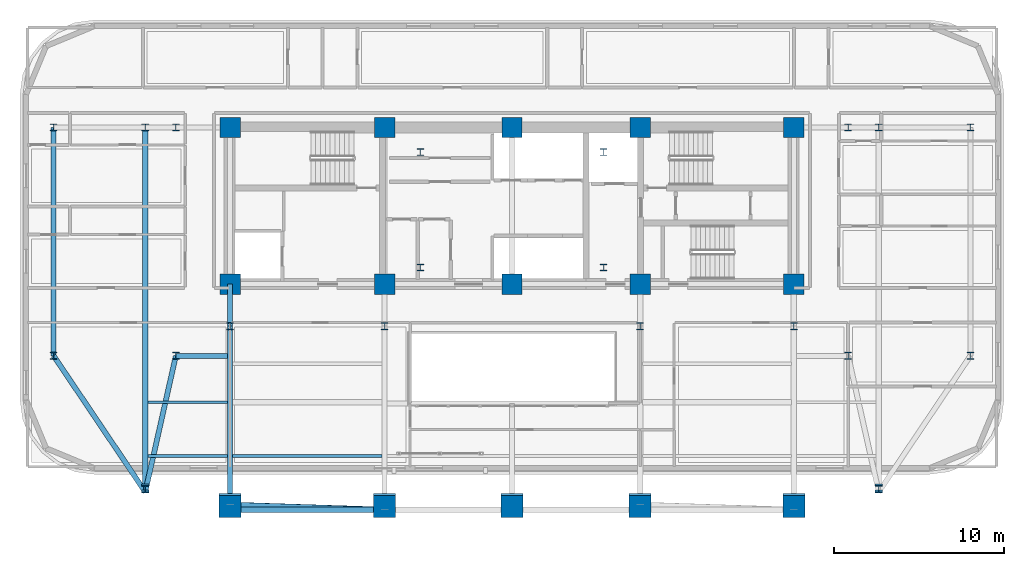
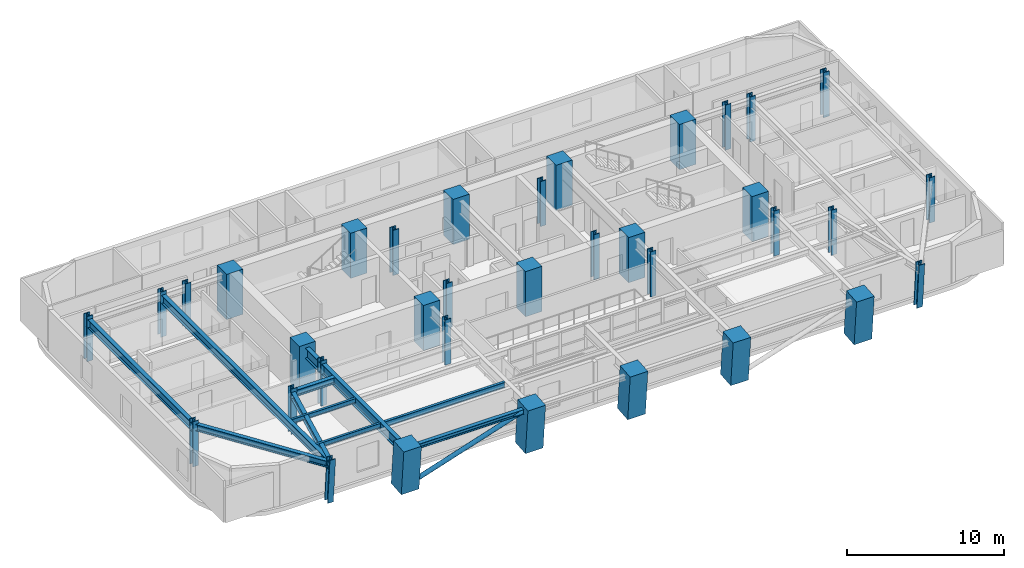
# One storey, part 1 of 15: 35 columns, 11 beams, 1 member.
"""IFC4 building model written with IfcOpenShell, lengths in metres."""

from ifc_helpers import new_model, si_unit, direction, frame, origin, origin_2d, place, context, subcontext, project, spatial, rectangle, hollow_circle, i_section, extrude, material, material_profile, profile_set, type_object, element, save


model = new_model("IFC4")

# Units and contexts
model_context = context("Model", 3, precision=1e-05, world=origin(), true_north=direction((0.0, 1.0)))
body_context = subcontext(model_context, "Body", "Model", "MODEL_VIEW")
ifc_project = project(units=[si_unit("LENGTHUNIT", "METRE"), si_unit("AREAUNIT", "SQUARE_METRE"), si_unit("VOLUMEUNIT", "CUBIC_METRE"), si_unit("PLANEANGLEUNIT", "RADIAN"), si_unit("MASSUNIT", "GRAM", prefix="KILO")], contexts=[model_context])

# Site, building, storey
site_placement = place(None, origin())
site = spatial("IfcSite", under=ifc_project, at=site_placement, CompositionType="ELEMENT")
building_placement = place(site_placement, origin())
building = spatial("IfcBuilding", under=site, at=building_placement, Name="Zarnavel Station Tower", CompositionType="ELEMENT")
storey_placement = place(building_placement, frame((0.0, 0.0, 125.800048828125)))
storey = spatial("IfcBuildingStorey", under=building, at=storey_placement, Name="L34", CompositionType="ELEMENT", Elevation=125.800048828125)

# Columns
ifc_material_1 = material(Name="Steel S460M", Category="steel")
ifc_material_profile_1 = material_profile(ifc_material_1, i_section(OverallWidth=0.41796875, OverallDepth=0.431884765625, WebThickness=0.034912109375, FlangeThickness=0.055908203125, FilletRadius=0.014892578125, at=origin_2d()), Name="HD400x421")
ifc_profile_set_1 = profile_set([ifc_material_profile_1], Name="Steel S460M")
column_type_1 = type_object("IfcColumnType", Name="EC_HD421", PredefinedType="COLUMN", material=ifc_profile_set_1)
for number, where, z_axis, x_axis, name in (
    (1, (1.800048828125, 23.60009765625, 0.0), (0.0, 0.0, 1.0), (1.0, 0.0, 0.0), "L34 Outer Wing South Column 1"),
    (2, (1.800048828125, 37.050048828125, 0.0), (0.0, 0.0, 1.0), (1.0, 0.0, 0.0), "L34 Outer Wing North Column 1"),
):
    element("IfcColumn", number, at=place(storey_placement, frame(where, z_axis=z_axis, x_axis=x_axis)), inside=storey, type_object=column_type_1, Name=name, PredefinedType="COLUMN", context=body_context, shape_type="SweptSolid", body=[
        extrude(i_section(OverallWidth=0.41796875, OverallDepth=0.431884765625, WebThickness=0.034912109375, FlangeThickness=0.055908203125, FilletRadius=0.014892578125, at=origin_2d()), origin(), (0.0, 0.0, 1.0), 3.5),
    ])
for number, where, z_axis, x_axis, name in (
    (3, (7.199951171875, 15.841552734375, 0.0), (0.0, -0.079891690793, 0.996803550226), (1.0, 0.0, 0.0), "L34 Raked Wing Column 2"),
    (4, (50.39990234375, 15.841552734375, 0.0), (0.0, -0.079891690793, 0.996803550226), (1.0, 0.0, 0.0), "L34 Raked Wing Column 3"),
):
    element("IfcColumn", number, at=place(storey_placement, frame(where, z_axis=z_axis, x_axis=x_axis)), inside=storey, type_object=column_type_1, Name=name, PredefinedType="COLUMN", context=body_context, shape_type="SweptSolid", body=[
        extrude(i_section(OverallWidth=0.41796875, OverallDepth=0.431884765625, WebThickness=0.034912109375, FlangeThickness=0.055908203125, FilletRadius=0.014892578125, at=origin_2d()), origin(), (0.0, 0.0, 1.0), 3.51123046875),
    ])
for number, where, z_axis, x_axis, name in (
    (5, (55.800048828125, 23.60009765625, 0.0), (0.0, 0.0, 1.0), (1.0, 0.0, 0.0), "L34 Outer Wing South Column 4"),
    (6, (55.800048828125, 37.050048828125, 0.0), (0.0, 0.0, 1.0), (1.0, 0.0, 0.0), "L34 Outer Wing North Column 4"),
):
    element("IfcColumn", number, at=place(storey_placement, frame(where, z_axis=z_axis, x_axis=x_axis)), inside=storey, type_object=column_type_1, Name=name, PredefinedType="COLUMN", context=body_context, shape_type="SweptSolid", body=[
        extrude(i_section(OverallWidth=0.41796875, OverallDepth=0.431884765625, WebThickness=0.034912109375, FlangeThickness=0.055908203125, FilletRadius=0.014892578125, at=origin_2d()), origin(), (0.0, 0.0, 1.0), 3.5),
    ])
ifc_material_2 = material(Name="Steel S460M", Category="steel")
ifc_material_profile_2 = material_profile(ifc_material_2, i_section(OverallWidth=0.41796875, OverallDepth=0.431884765625, WebThickness=0.034912109375, FlangeThickness=0.055908203125, FilletRadius=0.014892578125, at=origin_2d()), Name="HD400x421")
ifc_profile_set_2 = profile_set([ifc_material_profile_2], Name="Steel S460M")
column_type_2 = type_object("IfcColumnType", Name="IC_HD421", PredefinedType="COLUMN", material=ifc_profile_set_2)
for number, where, z_axis, x_axis, name in (
    (7, (23.39990234375, 28.800048828125, 0.0), (0.0, 0.0, 1.0), (1.0, 0.0, 0.0), "L34 Mast Spine Column 1"),
    (8, (34.199951171875, 28.800048828125, 0.0), (0.0, 0.0, 1.0), (1.0, 0.0, 0.0), "L34 Mast Spine Column 2"),
    (9, (34.199951171875, 35.60009765625, 0.0), (0.0, 0.0, 1.0), (1.0, 0.0, 0.0), "L34 Mast Spine Column 3"),
    (10, (23.39990234375, 35.60009765625, 0.0), (0.0, 0.0, 1.0), (1.0, 0.0, 0.0), "L34 Mast Spine Column 4"),
    (11, (12.199951171875, 25.35009765625, 0.0), (0.0, 0.0, 1.0), (1.0, 0.0, 0.0), "L34 Inner Spine Column 1"),
    (12, (21.300048828125, 25.35009765625, 0.0), (0.0, 0.0, 1.0), (1.0, 0.0, 0.0), "L34 Inner Spine Column 2"),
    (13, (36.35009765625, 25.35009765625, 0.0), (0.0, 0.0, 1.0), (1.0, 0.0, 0.0), "L34 Inner Spine Column 4"),
    (14, (45.39990234375, 25.35009765625, 0.0), (0.0, 0.0, 1.0), (1.0, 0.0, 0.0), "L34 Inner Spine Column 5"),
    (15, (9.0, 23.60009765625, 0.0), (0.0, 0.0, 1.0), (1.0, 0.0, 0.0), "L34 Inner Wing Spine Column 1-1"),
    (16, (9.0, 37.050048828125, 0.0), (0.0, 0.0, 1.0), (1.0, 0.0, 0.0), "L34 Inner Wing Spine Column 1-2"),
    (17, (48.60009765625, 23.60009765625, 0.0), (0.0, 0.0, 1.0), (1.0, 0.0, 0.0), "L34 Inner Wing Spine Column 2-1"),
    (18, (48.60009765625, 37.050048828125, 0.0), (0.0, 0.0, 1.0), (1.0, 0.0, 0.0), "L34 Inner Wing Spine Column 2-2"),
    (19, (7.199951171875, 37.050048828125, 0.0), (0.0, 0.0, 1.0), (1.0, 0.0, 0.0), "L34 Outer Wing North Column 2"),
    (20, (50.39990234375, 37.050048828125, 0.0), (0.0, 0.0, 1.0), (1.0, 0.0, 0.0), "L34 Outer Wing North Column 3"),
):
    element("IfcColumn", number, at=place(storey_placement, frame(where, z_axis=z_axis, x_axis=x_axis)), inside=storey, type_object=column_type_2, Name=name, PredefinedType="COLUMN", context=body_context, shape_type="SweptSolid", body=[
        extrude(i_section(OverallWidth=0.41796875, OverallDepth=0.431884765625, WebThickness=0.034912109375, FlangeThickness=0.055908203125, FilletRadius=0.014892578125, at=origin_2d()), origin(), (0.0, 0.0, 1.0), 3.5),
    ])
ifc_material_3 = material(Name="Concrete C50/60", Category="concrete")
ifc_material_profile_3 = material_profile(ifc_material_3, rectangle(XDim=1.199951171875, YDim=1.199951171875, at=origin_2d()), Name="RC1200x1200")
ifc_profile_set_3 = profile_set([ifc_material_profile_3], Name="Concrete C50/60")
column_type_3 = type_object("IfcColumnType", Name="IC_RC1200", PredefinedType="COLUMN", material=ifc_profile_set_3)
for number, where, z_axis, x_axis, name in (
    (21, (12.199951171875, 27.820068359375, 0.0), (0.0, 0.0, 1.0), (1.0, 0.0, 0.0), "L34 Core Spine Column 1-1"),
    (22, (12.199951171875, 37.050048828125, 0.0), (0.0, 0.0, 1.0), (1.0, 0.0, 0.0), "L34 Core Spine Column 1-2"),
    (23, (21.300048828125, 27.820068359375, 0.0), (0.0, 0.0, 1.0), (1.0, 0.0, 0.0), "L34 Core Spine Column 2-1"),
    (24, (21.300048828125, 37.050048828125, 0.0), (0.0, 0.0, 1.0), (1.0, 0.0, 0.0), "L34 Core Spine Column 2-2"),
    (25, (28.800048828125, 27.820068359375, 0.0), (0.0, 0.0, 1.0), (1.0, 0.0, 0.0), "L34 Core Spine Column 3-1"),
    (26, (28.800048828125, 37.050048828125, 0.0), (0.0, 0.0, 1.0), (1.0, 0.0, 0.0), "L34 Core Spine Column 3-2"),
    (27, (36.35009765625, 27.820068359375, 0.0), (0.0, 0.0, 1.0), (1.0, 0.0, 0.0), "L34 Core Spine Column 4-1"),
    (28, (36.35009765625, 37.050048828125, 0.0), (0.0, 0.0, 1.0), (1.0, 0.0, 0.0), "L34 Core Spine Column 4-2"),
    (29, (45.39990234375, 27.820068359375, 0.0), (0.0, 0.0, 1.0), (1.0, 0.0, 0.0), "L34 Core Spine Column 5-1"),
    (30, (45.39990234375, 37.050048828125, 0.0), (0.0, 0.0, 1.0), (1.0, 0.0, 0.0), "L34 Core Spine Column 5-2"),
):
    element("IfcColumn", number, at=place(storey_placement, frame(where, z_axis=z_axis, x_axis=x_axis)), inside=storey, type_object=column_type_3, Name=name, PredefinedType="COLUMN", context=body_context, shape_type="SweptSolid", body=[
        extrude(rectangle(XDim=1.199951171875, YDim=1.199951171875, at=origin_2d()), origin(), (0.0, 0.0, 1.0), 3.5),
    ])
ifc_material_4 = material(Name="Concrete C60/75", Category="concrete")
ifc_material_profile_4 = material_profile(ifc_material_4, rectangle(XDim=1.300048828125, YDim=1.300048828125, at=origin_2d()), Name="RC1300x1300")
ifc_profile_set_4 = profile_set([ifc_material_profile_4], Name="Concrete C60/75")
column_type_4 = type_object("IfcColumnType", Name="MC_RC1300", PredefinedType="COLUMN", material=ifc_profile_set_4)
for number, where, z_axis, x_axis, name in (
    (31, (12.199951171875, 14.827880859375, 0.0), (0.0, -0.090241349316, 0.995919925935), (1.0, 0.0, 0.0), "L34 Raked South Mega-Column 1"),
    (32, (21.300048828125, 14.827880859375, 0.0), (0.0, -0.090241349316, 0.995919925935), (1.0, 0.0, 0.0), "L34 Raked South Mega-Column 2"),
    (33, (28.800048828125, 14.827880859375, 0.0), (0.0, -0.090241349316, 0.995919925935), (1.0, 0.0, 0.0), "L34 Raked South Mega-Column 3"),
    (34, (36.35009765625, 14.827880859375, 0.0), (0.0, -0.090241349316, 0.995919925935), (1.0, 0.0, 0.0), "L34 Raked South Mega-Column 4"),
    (35, (45.39990234375, 14.827880859375, 0.0), (0.0, -0.090241349316, 0.995919925935), (1.0, 0.0, 0.0), "L34 Raked South Mega-Column 5"),
):
    element("IfcColumn", number, at=place(storey_placement, frame(where, z_axis=z_axis, x_axis=x_axis)), inside=storey, type_object=column_type_4, Name=name, PredefinedType="COLUMN", context=body_context, shape_type="SweptSolid", body=[
        extrude(rectangle(XDim=1.300048828125, YDim=1.300048828125, at=origin_2d()), origin(), (0.0, 0.0, 1.0), 3.514404296875),
    ])

# Member
ifc_material_5 = material(Name="Steel S355J2", Category="steel")
ifc_material_profile_5 = material_profile(ifc_material_5, hollow_circle(Radius=0.161865234375, WallThickness=0.012451171875, at=origin_2d()), Name="CHS323.9x12.5")
ifc_profile_set_5 = profile_set([ifc_material_profile_5], Name="Steel S355J2")
member_type = type_object("IfcMemberType", Name="DB_EXT_CHS324", PredefinedType="BRACE", material=ifc_profile_set_5)
member_placement = place(storey_placement, frame((12.199951171875, 14.827880859375, 0.0), z_axis=(0.941636397979, -0.030365588624, 0.335259339958), x_axis=(0.032230925026, 0.999480448769, 0.0)))
element("IfcMember", 36, at=member_placement, inside=storey, type_object=member_type, Name="L34 Persian Exterior Diagonal Frame Brace 1", PredefinedType="BRACE", context=body_context, shape_type="SweptSolid", body=[
    extrude(hollow_circle(Radius=0.161865234375, WallThickness=0.012451171875, at=origin_2d()), origin(), (0.0, 0.0, 1.0), 9.6640625),
])

# Beams
ifc_material_6 = material(Name="Steel S355J2", Category="steel")
ifc_material_profile_6 = material_profile(ifc_material_6, i_section(OverallWidth=0.300048828125, OverallDepth=0.360107421875, WebThickness=0.012451171875, FlangeThickness=0.0224609375, FilletRadius=0.027099609375, at=origin_2d()), Name="HEB360")
ifc_profile_set_6 = profile_set([ifc_material_profile_6], Name="Steel S355J2")
beam_type_1 = type_object("IfcBeamType", Name="EB_HEB360", PredefinedType="SPANDREL", material=ifc_profile_set_6)
beam_1_placement = place(storey_placement, frame((12.199951171875, 14.534423828125, 3.06005859375), z_axis=(1.0, 0.0, 0.0), x_axis=(0.0, 1.0, 0.0)))
element("IfcBeam", 37, at=beam_1_placement, inside=storey, type_object=beam_type_1, Name="L34 South Raked Spandrel 1", PredefinedType="SPANDREL", context=body_context, shape_type="SweptSolid", body=[
    extrude(i_section(OverallWidth=0.300048828125, OverallDepth=0.360107421875, WebThickness=0.012451171875, FlangeThickness=0.0224609375, FilletRadius=0.027099609375, at=origin_2d()), origin(), (0.0, 0.0, 1.0), 9.10009765625),
])
ifc_material_7 = material(Name="Steel S355J2", Category="steel")
ifc_material_profile_7 = material_profile(ifc_material_7, i_section(OverallWidth=0.18994140625, OverallDepth=0.449951171875, WebThickness=0.009521484375, FlangeThickness=0.0146484375, FilletRadius=0.02099609375, at=origin_2d()), Name="IPE450")
ifc_profile_set_7 = profile_set([ifc_material_profile_7], Name="Steel S355J2")
beam_type_2 = type_object("IfcBeamType", Name="FB_IPE450", PredefinedType="BEAM", material=ifc_profile_set_7)
beam_2_placement = place(storey_placement, frame((12.344970703125, 17.70068359375, 3.014892578125), z_axis=(1.0, 0.0, 0.0), x_axis=(0.0, 1.0, 0.0)))
element("IfcBeam", 38, at=beam_2_placement, inside=storey, type_object=beam_type_2, Name="L34 West Bay Beam 1", PredefinedType="BEAM", context=body_context, shape_type="SweptSolid", body=[
    extrude(i_section(OverallWidth=0.18994140625, OverallDepth=0.449951171875, WebThickness=0.009521484375, FlangeThickness=0.0146484375, FilletRadius=0.02099609375, at=origin_2d()), origin(), (0.0, 0.0, 1.0), 8.81005859375),
])
ifc_material_8 = material(Name="Steel S355J2", Category="steel")
ifc_material_profile_8 = material_profile(ifc_material_8, i_section(OverallWidth=0.300048828125, OverallDepth=0.5, WebThickness=0.014404296875, FlangeThickness=0.028076171875, FilletRadius=0.027099609375, at=origin_2d()), Name="HEB500")
ifc_profile_set_8 = profile_set([ifc_material_profile_8], Name="Steel S355J2")
beam_type_3 = type_object("IfcBeamType", Name="FG_HEB500", PredefinedType="USERDEFINED", material=ifc_profile_set_8)
beam_3_placement = place(storey_placement, frame((1.800048828125, 23.60009765625, 2.989990234375), z_axis=(0.558587259901, -0.829445762589, 0.0), x_axis=(0.829445762589, 0.558587259901, 0.0)))
element("IfcBeam", 39, at=beam_3_placement, inside=storey, type_object=beam_type_3, Name="L34 West Wing South Tie 1", ObjectType="GIRDER", PredefinedType="USERDEFINED", context=body_context, shape_type="SweptSolid", body=[
    extrude(i_section(OverallWidth=0.300048828125, OverallDepth=0.5, WebThickness=0.014404296875, FlangeThickness=0.028076171875, FilletRadius=0.027099609375, at=origin_2d()), origin(), (0.0, 0.0, 1.0), 9.6669921875),
])
beam_4_placement = place(storey_placement, frame((7.199951171875, 15.581787109375, 2.989990234375), z_axis=(0.219040651134, 0.975715733783, 0.0), x_axis=(-0.975715733783, 0.219040651134, 0.0)))
element("IfcBeam", 40, at=beam_4_placement, inside=storey, type_object=beam_type_3, Name="L34 West Wing South Tie 2", ObjectType="GIRDER", PredefinedType="USERDEFINED", context=body_context, shape_type="SweptSolid", body=[
    extrude(i_section(OverallWidth=0.300048828125, OverallDepth=0.5, WebThickness=0.014404296875, FlangeThickness=0.028076171875, FilletRadius=0.027099609375, at=origin_2d()), origin(), (0.0, 0.0, 1.0), 8.2177734375),
])
beam_5_placement = place(storey_placement, frame((9.0, 23.60009765625, 2.989990234375), z_axis=(1.0, 0.0, 0.0), x_axis=(0.0, 1.0, 0.0)))
element("IfcBeam", 41, at=beam_5_placement, inside=storey, type_object=beam_type_3, Name="L34 West Wing South Tie 3", ObjectType="GIRDER", PredefinedType="USERDEFINED", context=body_context, shape_type="SweptSolid", body=[
    extrude(i_section(OverallWidth=0.300048828125, OverallDepth=0.5, WebThickness=0.014404296875, FlangeThickness=0.028076171875, FilletRadius=0.027099609375, at=origin_2d()), origin(), (0.0, 0.0, 1.0), 3.054931640625),
])
ifc_material_9 = material(Name="Steel S355J2", Category="steel")
ifc_material_profile_9 = material_profile(ifc_material_9, i_section(OverallWidth=0.300048828125, OverallDepth=0.64990234375, WebThickness=0.01611328125, FlangeThickness=0.031005859375, FilletRadius=0.027099609375, at=origin_2d()), Name="HEB650")
ifc_profile_set_9 = profile_set([ifc_material_profile_9], Name="Steel S355J2")
beam_type_4 = type_object("IfcBeamType", Name="FG_HEB650", PredefinedType="USERDEFINED", material=ifc_profile_set_9)
beam_6_placement = place(storey_placement, frame((1.800048828125, 23.60009765625, 2.9150390625), z_axis=(0.0, 1.0, 0.0), x_axis=(-1.0, 0.0, 0.0)))
element("IfcBeam", 42, at=beam_6_placement, inside=storey, type_object=beam_type_4, Name="L34 Wing NS Girder 1", ObjectType="GIRDER", PredefinedType="USERDEFINED", context=body_context, shape_type="SweptSolid", body=[
    extrude(i_section(OverallWidth=0.300048828125, OverallDepth=0.64990234375, WebThickness=0.01611328125, FlangeThickness=0.031005859375, FilletRadius=0.027099609375, at=origin_2d()), origin(), (0.0, 0.0, 1.0), 13.449951171875),
])
beam_7_placement = place(storey_placement, frame((7.199951171875, 15.581787109375, 2.9150390625), z_axis=(0.0, 1.0, 0.0), x_axis=(-1.0, 0.0, 0.0)))
element("IfcBeam", 43, at=beam_7_placement, inside=storey, type_object=beam_type_4, Name="L34 Wing NS Girder 2", ObjectType="GIRDER", PredefinedType="USERDEFINED", context=body_context, shape_type="SweptSolid", body=[
    extrude(i_section(OverallWidth=0.300048828125, OverallDepth=0.64990234375, WebThickness=0.01611328125, FlangeThickness=0.031005859375, FilletRadius=0.027099609375, at=origin_2d()), origin(), (0.0, 0.0, 1.0), 21.46826171875),
])
ifc_material_10 = material(Name="Steel S460M", Category="steel")
ifc_material_profile_10 = material_profile(ifc_material_10, i_section(OverallWidth=0.302978515625, OverallDepth=0.81396484375, WebThickness=0.02099609375, FlangeThickness=0.0400390625, FilletRadius=0.030029296875, at=origin_2d()), Name="HEM800")
ifc_profile_set_10 = profile_set([ifc_material_profile_10], Name="Steel S460M")
beam_type_5 = type_object("IfcBeamType", Name="FG_HEM800", PredefinedType="USERDEFINED", material=ifc_profile_set_10)
beam_8_placement = place(storey_placement, frame((12.199951171875, 14.534423828125, 2.8330078125), z_axis=(0.0, 1.0, 0.0), x_axis=(-1.0, 0.0, 0.0)))
element("IfcBeam", 44, at=beam_8_placement, inside=storey, type_object=beam_type_5, Name="L34 South-Zone NS Girder 1", ObjectType="GIRDER", PredefinedType="USERDEFINED", context=body_context, shape_type="SweptSolid", body=[
    extrude(i_section(OverallWidth=0.302978515625, OverallDepth=0.81396484375, WebThickness=0.02099609375, FlangeThickness=0.0400390625, FilletRadius=0.030029296875, at=origin_2d()), origin(), (0.0, 0.0, 1.0), 10.815673828125),
])
beam_9_placement = place(storey_placement, frame((12.199951171875, 25.35009765625, 2.8330078125), z_axis=(0.0, 1.0, 0.0), x_axis=(-1.0, 0.0, 0.0)))
element("IfcBeam", 45, at=beam_9_placement, inside=storey, type_object=beam_type_5, Name="L34 Inner-Zone NS Girder 1", ObjectType="GIRDER", PredefinedType="USERDEFINED", context=body_context, shape_type="SweptSolid", body=[
    extrude(i_section(OverallWidth=0.302978515625, OverallDepth=0.81396484375, WebThickness=0.02099609375, FlangeThickness=0.0400390625, FilletRadius=0.030029296875, at=origin_2d()), origin(), (0.0, 0.0, 1.0), 2.469970703125),
])
ifc_material_11 = material(Name="Steel S355J2", Category="steel")
ifc_material_profile_11 = material_profile(ifc_material_11, i_section(OverallWidth=0.169921875, OverallDepth=0.360107421875, WebThickness=0.008056640625, FlangeThickness=0.0126953125, FilletRadius=0.01806640625, at=origin_2d()), Name="IPE360")
ifc_profile_set_11 = profile_set([ifc_material_profile_11], Name="Steel S355J2")
beam_type_6 = type_object("IfcBeamType", Name="FJ_IPE360", PredefinedType="JOIST", material=ifc_profile_set_11)
for number, where, z_axis, x_axis, name in (
    (46, (7.344970703125, 17.70068359375, 3.06005859375), (1.0, 0.0, 0.0), (0.0, 1.0, 0.0), "L34 West Wing Joist 1"),
    (47, (7.344970703125, 20.8671875, 3.06005859375), (1.0, 0.0, 0.0), (0.0, 1.0, 0.0), "L34 West Wing Joist 2"),
):
    element("IfcBeam", number, at=place(storey_placement, frame(where, z_axis=z_axis, x_axis=x_axis)), inside=storey, type_object=beam_type_6, Name=name, PredefinedType="JOIST", context=body_context, shape_type="SweptSolid", body=[
        extrude(i_section(OverallWidth=0.169921875, OverallDepth=0.360107421875, WebThickness=0.008056640625, FlangeThickness=0.0126953125, FilletRadius=0.01806640625, at=origin_2d()), origin(), (0.0, 0.0, 1.0), 4.7099609375),
    ])

save(model, "model.ifc")
